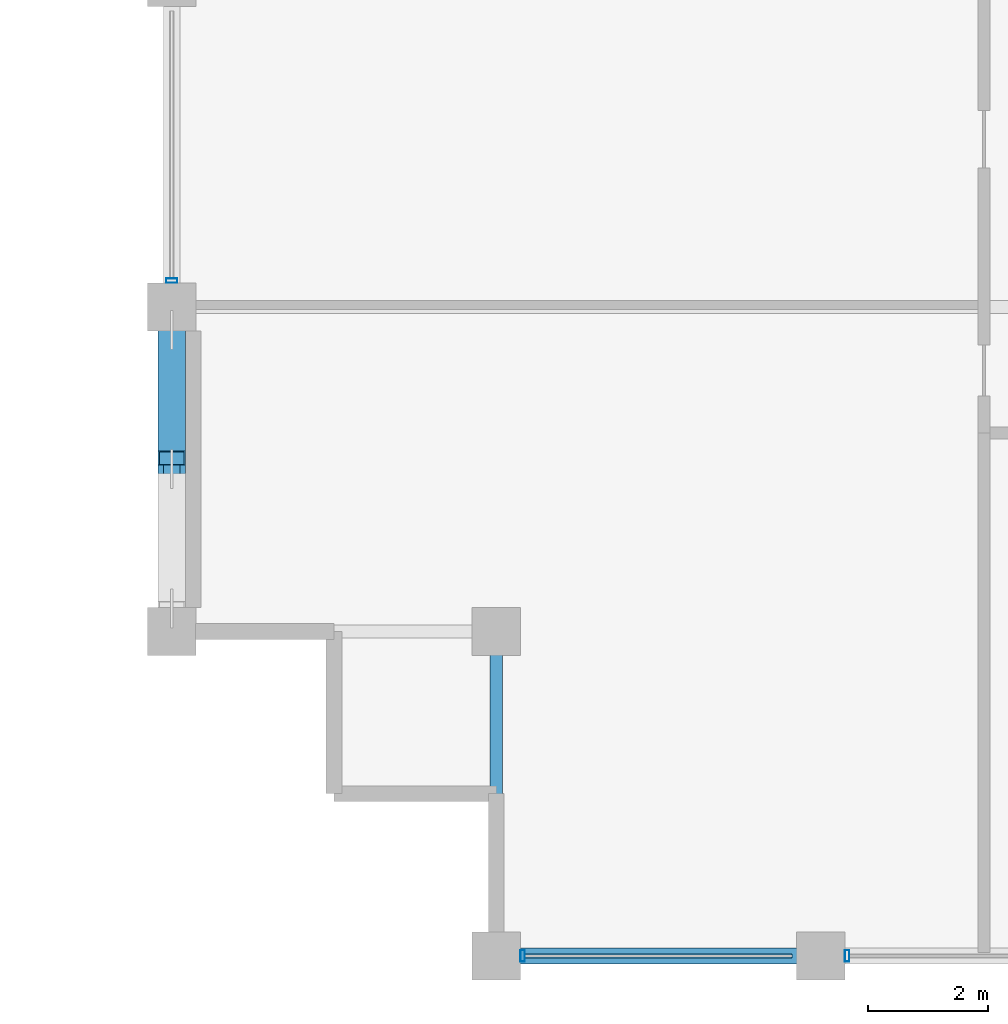
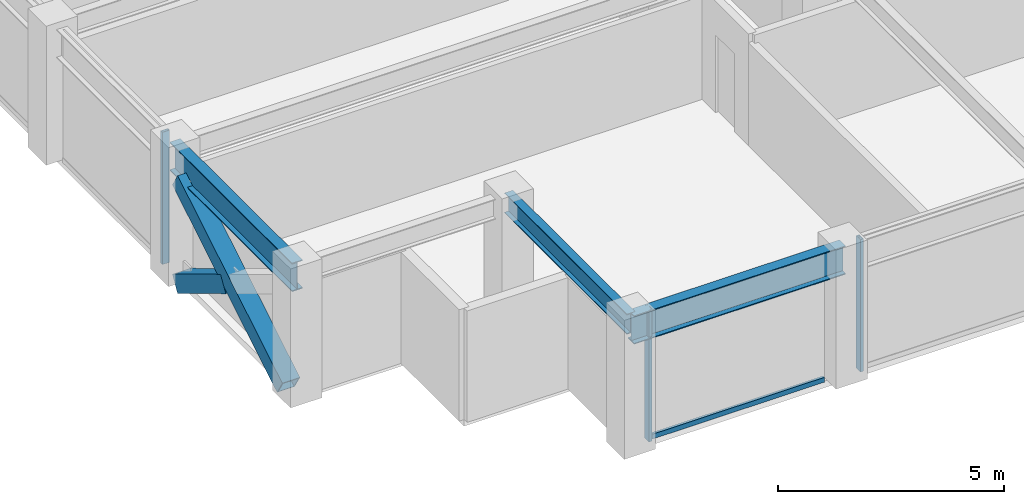
# One storey, part 2 of 28: 6 members, 3 beams, 2 elements without a shape of their own.
"""IFC4 building model written with IfcOpenShell, lengths in metres."""

from ifc_helpers import new_model, si_unit, direction, frame, origin, origin_2d, place, context, subcontext, project, spatial, hollow_rectangle, i_section, extrude, material, layer, layer_set, material_profile, profile_set, type_object, element, aggregate, save


model = new_model("IFC4")

# Units and contexts
model_context = context("Model", 3, precision=1e-05, world=origin(), true_north=direction((0.0, 1.0)))
body_context = subcontext(model_context, "Body", "Model", "MODEL_VIEW")
ifc_project = project(units=[si_unit("LENGTHUNIT", "METRE"), si_unit("AREAUNIT", "SQUARE_METRE"), si_unit("VOLUMEUNIT", "CUBIC_METRE"), si_unit("PLANEANGLEUNIT", "RADIAN"), si_unit("MASSUNIT", "GRAM", prefix="KILO")], contexts=[model_context])

# Site, building, storey
site_placement = place(None, origin())
site = spatial("IfcSite", under=ifc_project, at=site_placement, CompositionType="ELEMENT")
building_placement = place(site_placement, origin())
building = spatial("IfcBuilding", under=site, at=building_placement, Name="Surkhivell Harbour Commons", CompositionType="ELEMENT")
storey_placement = place(building_placement, frame((0.0, 0.0, 242.25)))
storey = spatial("IfcBuildingStorey", under=building, at=storey_placement, Name="L63", CompositionType="ELEMENT", Elevation=242.25)

# Beams
ifc_material_1 = material(Name="Steel S355", Category="steel")
ifc_material_profile_1 = material_profile(ifc_material_1, i_section(OverallWidth=0.2119140625, OverallDepth=0.5439453125, WebThickness=0.0126953125, FlangeThickness=0.021240234375, at=origin_2d()), Name="UB533x210x122")
ifc_profile_set_1 = profile_set([ifc_material_profile_1], Name="Steel S355")
beam_type_1 = type_object("IfcBeamType", Name="BM-GRD-533A", PredefinedType="BEAM", material=ifc_profile_set_1)
beam_1_placement = place(storey_placement, frame((-21.60009765625, -21.60009765625, 3.298095703125), z_axis=(0.0, 1.0, 0.0), x_axis=(-1.0, 0.0, 0.0)))
element("IfcBeam", 1, at=beam_1_placement, inside=storey, type_object=beam_type_1, Name="L63 Floor Girder (-21.6,-21.6)", PredefinedType="BEAM", context=body_context, shape_type="SweptSolid", body=[
    extrude(i_section(OverallWidth=0.2119140625, OverallDepth=0.5439453125, WebThickness=0.0126953125, FlangeThickness=0.021240234375, at=origin_2d()), origin(), (0.0, 0.0, 1.0), 5.400146484375),
])
ifc_material_profile_2 = material_profile(ifc_material_1, i_section(OverallWidth=0.26806640625, OverallDepth=0.77001953125, WebThickness=0.015625, FlangeThickness=0.025390625, at=origin_2d()), Name="UB762x267x197")
ifc_profile_set_2 = profile_set([ifc_material_profile_2], Name="Steel S355")
beam_type_2 = type_object("IfcBeamType", Name="BM-SPN-762", PredefinedType="SPANDREL", material=ifc_profile_set_2)
beam_2_placement = place(storey_placement, frame((-27.0, -16.199951171875, 3.18505859375), z_axis=(0.0, 1.0, 0.0), x_axis=(-1.0, 0.0, 0.0)))
element("IfcBeam", 2, at=beam_2_placement, inside=storey, type_object=beam_type_2, Name="L63 Tube Spandrel (-27.0,-16.2)", PredefinedType="SPANDREL", context=body_context, shape_type="SweptSolid", body=[
    extrude(i_section(OverallWidth=0.26806640625, OverallDepth=0.77001953125, WebThickness=0.015625, FlangeThickness=0.025390625, at=origin_2d()), origin(), (0.0, 0.0, 1.0), 5.39990234375),
])
beam_3_placement = place(storey_placement, frame((-21.60009765625, -21.60009765625, 3.18505859375), z_axis=(1.0, 0.0, 0.0), x_axis=(0.0, 1.0, 0.0)))
element("IfcBeam", 3, at=beam_3_placement, inside=storey, type_object=beam_type_2, Name="L63 Tube Spandrel (-21.6,-21.6)", PredefinedType="SPANDREL", context=body_context, shape_type="SweptSolid", body=[
    extrude(i_section(OverallWidth=0.26806640625, OverallDepth=0.77001953125, WebThickness=0.015625, FlangeThickness=0.025390625, at=origin_2d()), origin(), (0.0, 0.0, 1.0), 5.400146484375),
])

# Curtain wall, members
ifc_material_2 = material(Name="Anodised pale-metal aluminium and insulated glazing", Category="aluminium")
ifc_layer = layer(ifc_material_2, 0.18994140625)
ifc_layer_set = layer_set([ifc_layer], Name="Anodised pale-metal aluminium and insulated glazing")
curtain_wall_type = type_object("IfcCurtainWallType", Name="CW-SYS-Z3", PredefinedType="NOTDEFINED", material=ifc_layer_set)
curtain_wall_1_placement = place(storey_placement, origin())
curtain_wall_1 = element("IfcCurtainWall", 4, at=curtain_wall_1_placement, inside=storey, type_object=curtain_wall_type, Name="L63 Curtain Wall CW-L63-E00S1", PredefinedType="NOTDEFINED")
ifc_material_3 = material(Name="Anodised pale-metal aluminium alloy 6063-T6", Category="aluminium")
ifc_material_profile_3 = material_profile(ifc_material_3, hollow_rectangle(XDim=0.074951171875, YDim=0.18994140625, WallThickness=0.00390625, at=origin_2d()), Name="ALU-MULL-75x190")
ifc_profile_set_3 = profile_set([ifc_material_profile_3], Name="Anodised pale-metal aluminium alloy 6063-T6")
member_type_1 = type_object("IfcMemberType", Name="CWM-190", PredefinedType="MULLION", material=ifc_profile_set_3)
member_1_placement = place(storey_placement, frame((-21.160400390625, -21.60009765625, 0.0), z_axis=(0.0, 0.0, 1.0), x_axis=(1.0, 0.0, 0.0)))
member_1 = element("IfcMember", 5, at=member_1_placement, type_object=member_type_1, Name="CW-Z3 mullion 1", PredefinedType="MULLION", context=body_context, shape_type="SweptSolid", body=[
    extrude(hollow_rectangle(XDim=0.074951171875, YDim=0.18994140625, WallThickness=0.00390625, at=origin_2d()), origin(), (0.0, 0.0, 1.0), 3.570068359375),
])
member_2_placement = place(storey_placement, frame((-15.760498046875, -21.60009765625, 0.0), z_axis=(0.0, 0.0, 1.0), x_axis=(1.0, 0.0, 0.0)))
member_2 = element("IfcMember", 6, at=member_2_placement, type_object=member_type_1, Name="CW-Z3 mullion 2", PredefinedType="MULLION", context=body_context, shape_type="SweptSolid", body=[
    extrude(hollow_rectangle(XDim=0.074951171875, YDim=0.18994140625, WallThickness=0.00390625, at=origin_2d()), origin(), (0.0, 0.0, 1.0), 3.570068359375),
])

# Curtain wall, member
curtain_wall_2_placement = place(storey_placement, origin())
curtain_wall_2 = element("IfcCurtainWall", 7, at=curtain_wall_2_placement, inside=storey, type_object=curtain_wall_type, Name="L63 Curtain Wall CW-L63-E12R1S1", PredefinedType="NOTDEFINED")
member_3_placement = place(storey_placement, frame((-27.0, -10.360595703125, 0.0), z_axis=(0.0, 0.0, 1.0), x_axis=(0.0, 1.0, 0.0)))
member_3 = element("IfcMember", 8, at=member_3_placement, type_object=member_type_1, Name="CW-Z3 mullion 1", PredefinedType="MULLION", context=body_context, shape_type="SweptSolid", body=[
    extrude(hollow_rectangle(XDim=0.074951171875, YDim=0.18994140625, WallThickness=0.00390625, at=origin_2d()), origin(), (0.0, 0.0, 1.0), 3.570068359375),
])
aggregate(curtain_wall_2, [member_3])

# Member
ifc_material_4 = material(Name="Champagne anodised aluminium alloy 6063-T6", Category="aluminium")
ifc_material_profile_4 = material_profile(ifc_material_4, hollow_rectangle(XDim=0.070068359375, YDim=0.1298828125, WallThickness=0.00341796875, at=origin_2d()), Name="ALU-TRAN-70x130")
ifc_profile_set_4 = profile_set([ifc_material_profile_4], Name="Champagne anodised aluminium alloy 6063-T6")
member_type_2 = type_object("IfcMemberType", Name="CWT-130", PredefinedType="USERDEFINED", material=ifc_profile_set_4)
member_4_placement = place(storey_placement, frame((-21.123046875, -21.60009765625, 0.06494140625), z_axis=(1.0, 0.0, 0.0), x_axis=(0.0, 1.0, 0.0)))
member_4 = element("IfcMember", 9, at=member_4_placement, type_object=member_type_2, Name="CW-Z3 transom 1.1", ObjectType="TRANSOM", PredefinedType="USERDEFINED", context=body_context, shape_type="SweptSolid", body=[
    extrude(hollow_rectangle(XDim=0.070068359375, YDim=0.1298828125, WallThickness=0.00341796875, at=origin_2d()), origin(), (0.0, 0.0, 1.0), 4.446044921875),
])

aggregate(curtain_wall_1, [member_1, member_4, member_2])

# Members
ifc_material_5 = material(Name="Steel S460", Category="steel")
ifc_material_profile_5 = material_profile(ifc_material_5, hollow_rectangle(XDim=0.449951171875, YDim=0.449951171875, WallThickness=0.02197265625, at=origin_2d()), Name="SHS450x450x22")
ifc_profile_set_5 = profile_set([ifc_material_profile_5], Name="Steel S460")
member_type_3 = type_object("IfcMemberType", Name="MEM-BRC-SHS450", PredefinedType="BRACE", material=ifc_profile_set_5)
member_5_placement = place(storey_placement, frame((-27.0, -15.81494140625, 0.008056640625), z_axis=(0.0, 0.856023742961, 0.516936506243), x_axis=(-1.0, 0.0, 0.0)))
element("IfcMember", 10, at=member_5_placement, inside=storey, type_object=member_type_3, Name="L63 Perimeter Mega-Brace MB- 10", PredefinedType="BRACE", context=body_context, shape_type="SweptSolid", body=[
    extrude(hollow_rectangle(XDim=0.449951171875, YDim=0.449951171875, WallThickness=0.02197265625, at=origin_2d()), origin(), (0.0, 0.0, 1.0), 5.40869140625),
])
member_6_placement = place(storey_placement, frame((-27.0, -11.18505859375, 0.008056640625), z_axis=(0.0, -0.856061168755, 0.516874525731), x_axis=(1.0, 0.0, 0.0)))
element("IfcMember", 11, at=member_6_placement, inside=storey, type_object=member_type_3, Name="L63 Perimeter Mega-Brace MB- 11", PredefinedType="BRACE", context=body_context, shape_type="SweptSolid", body=[
    extrude(hollow_rectangle(XDim=0.449951171875, YDim=0.449951171875, WallThickness=0.02197265625, at=origin_2d()), origin(), (0.0, 0.0, 1.0), 2.48828125),
])

save(model, "model.ifc")
